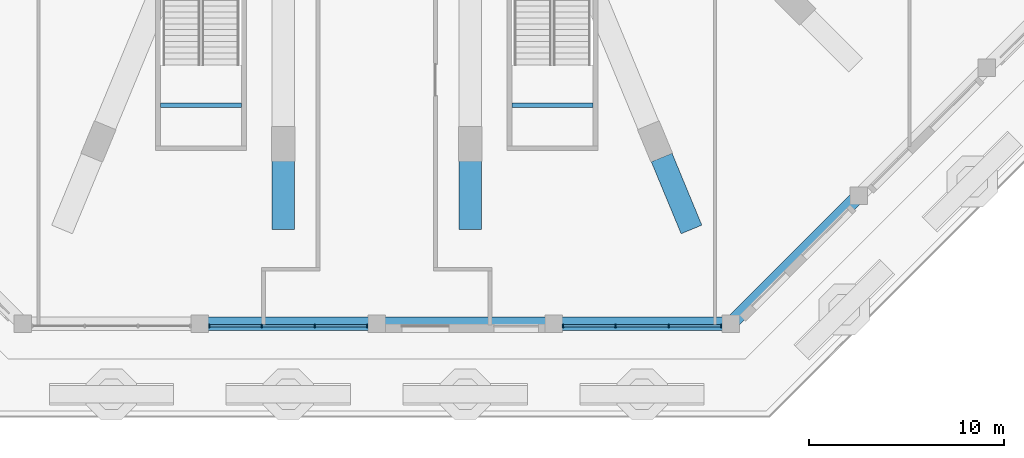
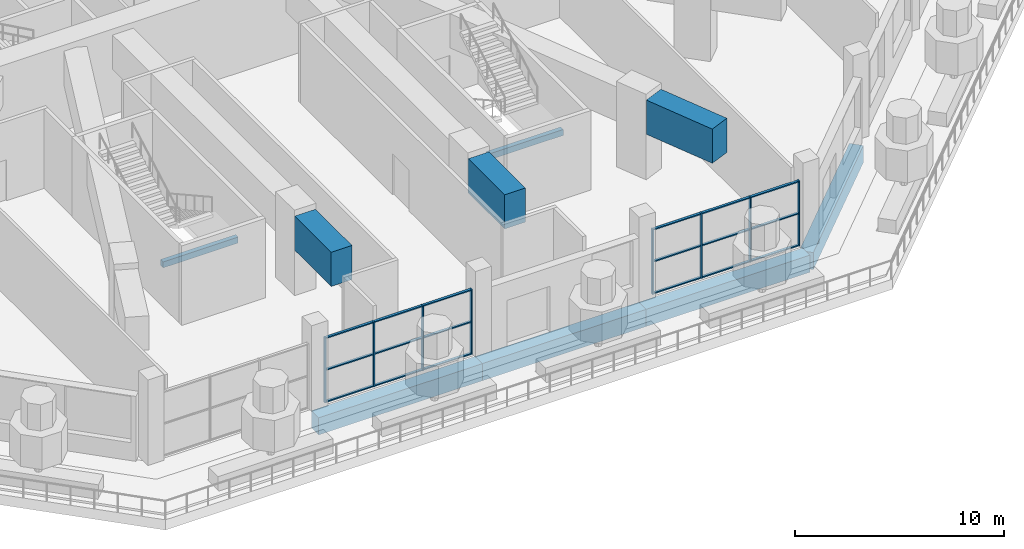
# One storey, part 4 of 25: 26 members, 9 beams, 2 elements without a shape of their own.
"""IFC4 building model written with IfcOpenShell, lengths in metres."""

from ifc_helpers import new_model, si_unit, direction, frame, origin, origin_2d, place, context, subcontext, project, spatial, rectangle, extrude, material, material_profile, profile_set, type_object, element, aggregate, save


model = new_model("IFC4")

# Units and contexts
model_context = context("Model", 3, precision=1e-05, world=origin(), true_north=direction((0.0, 1.0)))
body_context = subcontext(model_context, "Body", "Model", "MODEL_VIEW")
ifc_project = project(units=[si_unit("LENGTHUNIT", "METRE"), si_unit("AREAUNIT", "SQUARE_METRE"), si_unit("VOLUMEUNIT", "CUBIC_METRE"), si_unit("PLANEANGLEUNIT", "RADIAN"), si_unit("MASSUNIT", "GRAM", prefix="KILO")], contexts=[model_context])

# Site, building, storey
site_placement = place(None, origin())
site = spatial("IfcSite", under=ifc_project, at=site_placement, CompositionType="ELEMENT")
building_placement = place(site_placement, origin())
building = spatial("IfcBuilding", under=site, at=building_placement, Name="Msitu Wima Residences", CompositionType="ELEMENT")
storey_placement = place(building_placement, frame((0.0, 0.0, 11.0)))
storey = spatial("IfcBuildingStorey", under=building, at=storey_placement, Name="L02", CompositionType="ELEMENT", Elevation=11.0)

# Beams
ifc_material_1 = material(Name="Concrete C40/50", Category="concrete")
ifc_material_profile_1 = material_profile(ifc_material_1, rectangle(XDim=0.25, YDim=0.35009765625, at=origin_2d()), Name="RC 250x350")
ifc_profile_set_1 = profile_set([ifc_material_profile_1], Name="Concrete C40/50")
beam_type_1 = type_object("IfcBeamType", Name="Landing beam RC 250x350", PredefinedType="BEAM", material=ifc_profile_set_1)
for number, where, z_axis, x_axis, name in (
    (1, (6.925048828125, -26.60009765625, 2.125), (1.0, 0.0, 0.0), (0.0, 1.0, 0.0), "Podium exit stair 7 landing beam"),
    (2, (-6.925048828125, -26.60009765625, 2.125), (-1.0, 0.0, 0.0), (0.0, -1.0, 0.0), "Podium exit stair 8 landing beam"),
):
    element("IfcBeam", number, at=place(storey_placement, frame(where, z_axis=z_axis, x_axis=x_axis)), inside=storey, type_object=beam_type_1, Name=name, PredefinedType="BEAM", context=body_context, shape_type="SweptSolid", body=[
        extrude(rectangle(XDim=0.25, YDim=0.35009765625, at=origin_2d()), origin(), (0.0, 0.0, 1.0), 4.14990234375),
    ])

# Curtain wall, members
ifc_material_2 = material(Name="Anodised aluminium, bronze finish, clear low-emissivity double glazing", Category="aluminium")
curtain_wall_type = type_object("IfcCurtainWallType", Name="Curtain wall CW6 podium winter garden", PredefinedType="NOTDEFINED", material=ifc_material_2)
curtain_wall_1_placement = place(storey_placement, origin())
curtain_wall_1 = element("IfcCurtainWall", 3, at=curtain_wall_1_placement, inside=storey, type_object=curtain_wall_type, Name="Curtain wall CW6 L02 S1", PredefinedType="NOTDEFINED")
ifc_material_3 = material(Name="Anodised aluminium, bronze finish", Category="aluminium")
ifc_material_profile_2 = material_profile(ifc_material_3, rectangle(XDim=0.179931640625, YDim=0.06494140625, at=origin_2d()), Name="Mullion 65x180")
ifc_profile_set_2 = profile_set([ifc_material_profile_2], Name="Anodised aluminium, bronze finish")
member_type_1 = type_object("IfcMemberType", Name="Mullion CW6 65x180", PredefinedType="MULLION", material=ifc_profile_set_2)
member_1_placement = place(storey_placement, frame((-8.58154296875, -37.89990234375, 0.0), z_axis=(0.0, 0.0, 1.0), x_axis=(0.0, 1.0, 0.0)))
member_1 = element("IfcMember", 4, at=member_1_placement, type_object=member_type_1, Name="CW6 mullion 1", PredefinedType="MULLION", context=body_context, shape_type="SweptSolid", body=[
    extrude(rectangle(XDim=0.179931640625, YDim=0.06494140625, at=origin_2d()), origin(), (0.0, 0.0, 1.0), 3.800048828125),
])
member_2_placement = place(storey_placement, frame((-5.892578125, -37.89990234375, 0.0), z_axis=(0.0, 0.0, 1.0), x_axis=(0.0, 1.0, 0.0)))
member_2 = element("IfcMember", 5, at=member_2_placement, type_object=member_type_1, Name="CW6 mullion 2", PredefinedType="MULLION", context=body_context, shape_type="SweptSolid", body=[
    extrude(rectangle(XDim=0.179931640625, YDim=0.06494140625, at=origin_2d()), origin(), (0.0, 0.0, 1.0), 3.800048828125),
])
member_3_placement = place(storey_placement, frame((-3.17138671875, -37.89990234375, 0.0), z_axis=(0.0, 0.0, 1.0), x_axis=(0.0, 1.0, 0.0)))
member_3 = element("IfcMember", 6, at=member_3_placement, type_object=member_type_1, Name="CW6 mullion 3", PredefinedType="MULLION", context=body_context, shape_type="SweptSolid", body=[
    extrude(rectangle(XDim=0.179931640625, YDim=0.06494140625, at=origin_2d()), origin(), (0.0, 0.0, 1.0), 3.800048828125),
])
member_4_placement = place(storey_placement, frame((-0.482421875, -37.89990234375, 0.0), z_axis=(0.0, 0.0, 1.0), x_axis=(0.0, 1.0, 0.0)))
member_4 = element("IfcMember", 7, at=member_4_placement, type_object=member_type_1, Name="CW6 mullion 4", PredefinedType="MULLION", context=body_context, shape_type="SweptSolid", body=[
    extrude(rectangle(XDim=0.179931640625, YDim=0.06494140625, at=origin_2d()), origin(), (0.0, 0.0, 1.0), 3.800048828125),
])

curtain_wall_2_placement = place(storey_placement, origin())
curtain_wall_2 = element("IfcCurtainWall", 8, at=curtain_wall_2_placement, inside=storey, type_object=curtain_wall_type, Name="Curtain wall CW6 L02 S3", PredefinedType="NOTDEFINED")
member_5_placement = place(storey_placement, frame((9.54638671875, -37.89990234375, 0.0), z_axis=(0.0, 0.0, 1.0), x_axis=(0.0, 1.0, 0.0)))
member_5 = element("IfcMember", 9, at=member_5_placement, type_object=member_type_1, Name="CW6 mullion 1", PredefinedType="MULLION", context=body_context, shape_type="SweptSolid", body=[
    extrude(rectangle(XDim=0.179931640625, YDim=0.06494140625, at=origin_2d()), origin(), (0.0, 0.0, 1.0), 3.800048828125),
])
member_6_placement = place(storey_placement, frame((12.2353515625, -37.89990234375, 0.0), z_axis=(0.0, 0.0, 1.0), x_axis=(0.0, 1.0, 0.0)))
member_6 = element("IfcMember", 10, at=member_6_placement, type_object=member_type_1, Name="CW6 mullion 2", PredefinedType="MULLION", context=body_context, shape_type="SweptSolid", body=[
    extrude(rectangle(XDim=0.179931640625, YDim=0.06494140625, at=origin_2d()), origin(), (0.0, 0.0, 1.0), 3.800048828125),
])
member_7_placement = place(storey_placement, frame((14.95654296875, -37.89990234375, 0.0), z_axis=(0.0, 0.0, 1.0), x_axis=(0.0, 1.0, 0.0)))
member_7 = element("IfcMember", 11, at=member_7_placement, type_object=member_type_1, Name="CW6 mullion 3", PredefinedType="MULLION", context=body_context, shape_type="SweptSolid", body=[
    extrude(rectangle(XDim=0.179931640625, YDim=0.06494140625, at=origin_2d()), origin(), (0.0, 0.0, 1.0), 3.800048828125),
])
member_8_placement = place(storey_placement, frame((17.6455078125, -37.89990234375, 0.0), z_axis=(0.0, 0.0, 1.0), x_axis=(0.0, 1.0, 0.0)))
member_8 = element("IfcMember", 12, at=member_8_placement, type_object=member_type_1, Name="CW6 mullion 4", PredefinedType="MULLION", context=body_context, shape_type="SweptSolid", body=[
    extrude(rectangle(XDim=0.179931640625, YDim=0.06494140625, at=origin_2d()), origin(), (0.0, 0.0, 1.0), 3.800048828125),
])

# Beams
ifc_material_4 = material(Name="Concrete C60/75", Category="concrete")
ifc_material_profile_3 = material_profile(ifc_material_4, rectangle(XDim=1.14990234375, YDim=2.0, at=origin_2d()), Name="RC 1150x2000")
ifc_profile_set_3 = profile_set([ifc_material_profile_3], Name="Concrete C60/75")
beam_type_2 = type_object("IfcBeamType", Name="Podium cantilever girder tip RC 1150x2000 Concrete C60/75", PredefinedType="BEAM", material=ifc_profile_set_3)
for number, where, z_axis, x_axis, name in (
    (13, (-4.800048828125, -29.462890625, 3.64990234375), (0.0, -1.0, 0.0), (1.0, 0.0, 0.0), "Podium cantilever girder L03 C-S1 cantilever"),
    (14, (4.800048828125, -29.462890625, 3.64990234375), (0.0, -1.0, 0.0), (1.0, 0.0, 0.0), "Podium cantilever girder L03 C-S2 cantilever"),
):
    element("IfcBeam", number, at=place(storey_placement, frame(where, z_axis=z_axis, x_axis=x_axis)), inside=storey, type_object=beam_type_2, Name=name, PredefinedType="BEAM", context=body_context, shape_type="SweptSolid", body=[
        extrude(rectangle(XDim=1.14990234375, YDim=2.0, at=origin_2d()), origin(), (0.0, 0.0, 1.0), 3.4990234375),
    ])
beam_1_placement = place(storey_placement, frame((14.5966796875, -29.274658203125, 3.64990234375), z_axis=(0.382650802599, -0.923893047528, 0.0), x_axis=(0.923893047528, 0.382650802599, 0.0)))
element("IfcBeam", 15, at=beam_1_placement, inside=storey, type_object=beam_type_2, Name="Podium cantilever girder L03 C-SE0 cantilever", PredefinedType="BEAM", context=body_context, shape_type="SweptSolid", body=[
    extrude(rectangle(XDim=1.14990234375, YDim=2.0, at=origin_2d()), origin(), (0.0, 0.0, 1.0), 3.990234375),
])
ifc_material_profile_4 = material_profile(ifc_material_4, rectangle(XDim=0.699951171875, YDim=1.0, at=origin_2d()), Name="RC 700x1000")
ifc_profile_set_4 = profile_set([ifc_material_profile_4], Name="Concrete C60/75")
beam_type_3 = type_object("IfcBeamType", Name="Terrace beam RC 700x1000 Concrete C60/75", PredefinedType="BEAM", material=ifc_profile_set_4)
for number, where, z_axis, x_axis, name in (
    (16, (-9.06396484375, -37.800048828125, -1.10009765625), (1.0, 0.0, 0.0), (0.0, 1.0, 0.0), "Terrace upstand-line beam L02 C-S1"),
    (17, (0.0, -37.800048828125, -1.10009765625), (1.0, 0.0, 0.0), (0.0, 1.0, 0.0), "Terrace upstand-line beam L02 C-S2"),
    (18, (9.06396484375, -37.800048828125, -1.10009765625), (1.0, 0.0, 0.0), (0.0, 1.0, 0.0), "Terrace upstand-line beam L02 C-S3"),
):
    element("IfcBeam", number, at=place(storey_placement, frame(where, z_axis=z_axis, x_axis=x_axis)), inside=storey, type_object=beam_type_3, Name=name, PredefinedType="BEAM", context=body_context, shape_type="SweptSolid", body=[
        extrude(rectangle(XDim=0.699951171875, YDim=1.0, at=origin_2d()), origin(), (0.0, 0.0, 1.0), 9.06396484375),
    ])
beam_2_placement = place(storey_placement, frame((18.1279296875, -37.800048828125, -1.10009765625), z_axis=(0.707106781187, 0.707106781187, 0.0), x_axis=(-0.707106781187, 0.707106781187, 0.0)))
element("IfcBeam", 19, at=beam_2_placement, inside=storey, type_object=beam_type_3, Name="Terrace upstand-line beam L02 C-SE0", PredefinedType="BEAM", context=body_context, shape_type="SweptSolid", body=[
    extrude(rectangle(XDim=0.699951171875, YDim=1.0, at=origin_2d()), origin(), (0.0, 0.0, 1.0), 9.2734375),
])

# Member
ifc_material_profile_5 = material_profile(ifc_material_3, rectangle(XDim=0.139892578125, YDim=0.06494140625, at=origin_2d()), Name="Transom 65x140")
ifc_profile_set_5 = profile_set([ifc_material_profile_5], Name="Anodised aluminium, bronze finish")
member_type_2 = type_object("IfcMemberType", Name="Transom CW6 65x140", PredefinedType="USERDEFINED", material=ifc_profile_set_5)
member_9_placement = place(storey_placement, frame((-8.549072265625, -37.89990234375, 0.032470703125), z_axis=(1.0, 0.0, 0.0), x_axis=(0.0, 1.0, 0.0)))
member_9 = element("IfcMember", 20, at=member_9_placement, type_object=member_type_2, Name="CW6 transom 1.1", ObjectType="TRANSOM", PredefinedType="USERDEFINED", context=body_context, shape_type="SweptSolid", body=[
    extrude(rectangle(XDim=0.139892578125, YDim=0.06494140625, at=origin_2d()), origin(), (0.0, 0.0, 1.0), 2.6240234375),
])

member_10_placement = place(storey_placement, frame((-8.549072265625, -37.89990234375, 1.89990234375), z_axis=(1.0, 0.0, 0.0), x_axis=(0.0, 1.0, 0.0)))
member_10 = element("IfcMember", 21, at=member_10_placement, type_object=member_type_2, Name="CW6 transom 1.2", ObjectType="TRANSOM", PredefinedType="USERDEFINED", context=body_context, shape_type="SweptSolid", body=[
    extrude(rectangle(XDim=0.139892578125, YDim=0.06494140625, at=origin_2d()), origin(), (0.0, 0.0, 1.0), 2.6240234375),
])

member_11_placement = place(storey_placement, frame((-8.549072265625, -37.89990234375, 3.767578125), z_axis=(1.0, 0.0, 0.0), x_axis=(0.0, 1.0, 0.0)))
member_11 = element("IfcMember", 22, at=member_11_placement, type_object=member_type_2, Name="CW6 transom 1.3", ObjectType="TRANSOM", PredefinedType="USERDEFINED", context=body_context, shape_type="SweptSolid", body=[
    extrude(rectangle(XDim=0.139892578125, YDim=0.06494140625, at=origin_2d()), origin(), (0.0, 0.0, 1.0), 2.6240234375),
])

member_12_placement = place(storey_placement, frame((-5.860107421875, -37.89990234375, 0.032470703125), z_axis=(1.0, 0.0, 0.0), x_axis=(0.0, 1.0, 0.0)))
member_12 = element("IfcMember", 23, at=member_12_placement, type_object=member_type_2, Name="CW6 transom 2.1", ObjectType="TRANSOM", PredefinedType="USERDEFINED", context=body_context, shape_type="SweptSolid", body=[
    extrude(rectangle(XDim=0.139892578125, YDim=0.06494140625, at=origin_2d()), origin(), (0.0, 0.0, 1.0), 2.65625),
])

member_13_placement = place(storey_placement, frame((-5.860107421875, -37.89990234375, 1.89990234375), z_axis=(1.0, 0.0, 0.0), x_axis=(0.0, 1.0, 0.0)))
member_13 = element("IfcMember", 24, at=member_13_placement, type_object=member_type_2, Name="CW6 transom 2.2", ObjectType="TRANSOM", PredefinedType="USERDEFINED", context=body_context, shape_type="SweptSolid", body=[
    extrude(rectangle(XDim=0.139892578125, YDim=0.06494140625, at=origin_2d()), origin(), (0.0, 0.0, 1.0), 2.65625),
])

member_14_placement = place(storey_placement, frame((-5.860107421875, -37.89990234375, 3.767578125), z_axis=(1.0, 0.0, 0.0), x_axis=(0.0, 1.0, 0.0)))
member_14 = element("IfcMember", 25, at=member_14_placement, type_object=member_type_2, Name="CW6 transom 2.3", ObjectType="TRANSOM", PredefinedType="USERDEFINED", context=body_context, shape_type="SweptSolid", body=[
    extrude(rectangle(XDim=0.139892578125, YDim=0.06494140625, at=origin_2d()), origin(), (0.0, 0.0, 1.0), 2.65625),
])

member_15_placement = place(storey_placement, frame((-3.138916015625, -37.89990234375, 0.032470703125), z_axis=(1.0, 0.0, 0.0), x_axis=(0.0, 1.0, 0.0)))
member_15 = element("IfcMember", 26, at=member_15_placement, type_object=member_type_2, Name="CW6 transom 3.1", ObjectType="TRANSOM", PredefinedType="USERDEFINED", context=body_context, shape_type="SweptSolid", body=[
    extrude(rectangle(XDim=0.139892578125, YDim=0.06494140625, at=origin_2d()), origin(), (0.0, 0.0, 1.0), 2.6240234375),
])

member_16_placement = place(storey_placement, frame((-3.138916015625, -37.89990234375, 1.89990234375), z_axis=(1.0, 0.0, 0.0), x_axis=(0.0, 1.0, 0.0)))
member_16 = element("IfcMember", 27, at=member_16_placement, type_object=member_type_2, Name="CW6 transom 3.2", ObjectType="TRANSOM", PredefinedType="USERDEFINED", context=body_context, shape_type="SweptSolid", body=[
    extrude(rectangle(XDim=0.139892578125, YDim=0.06494140625, at=origin_2d()), origin(), (0.0, 0.0, 1.0), 2.6240234375),
])

member_17_placement = place(storey_placement, frame((-3.138916015625, -37.89990234375, 3.767578125), z_axis=(1.0, 0.0, 0.0), x_axis=(0.0, 1.0, 0.0)))
member_17 = element("IfcMember", 28, at=member_17_placement, type_object=member_type_2, Name="CW6 transom 3.3", ObjectType="TRANSOM", PredefinedType="USERDEFINED", context=body_context, shape_type="SweptSolid", body=[
    extrude(rectangle(XDim=0.139892578125, YDim=0.06494140625, at=origin_2d()), origin(), (0.0, 0.0, 1.0), 2.6240234375),
])

aggregate(curtain_wall_1, [member_1, member_2, member_3, member_4, member_9, member_10, member_11, member_12, member_13, member_14, member_15, member_16, member_17])

member_18_placement = place(storey_placement, frame((9.578857421875, -37.89990234375, 0.032470703125), z_axis=(1.0, 0.0, 0.0), x_axis=(0.0, 1.0, 0.0)))
member_18 = element("IfcMember", 29, at=member_18_placement, type_object=member_type_2, Name="CW6 transom 1.1", ObjectType="TRANSOM", PredefinedType="USERDEFINED", context=body_context, shape_type="SweptSolid", body=[
    extrude(rectangle(XDim=0.139892578125, YDim=0.06494140625, at=origin_2d()), origin(), (0.0, 0.0, 1.0), 2.6240234375),
])

member_19_placement = place(storey_placement, frame((9.578857421875, -37.89990234375, 1.89990234375), z_axis=(1.0, 0.0, 0.0), x_axis=(0.0, 1.0, 0.0)))
member_19 = element("IfcMember", 30, at=member_19_placement, type_object=member_type_2, Name="CW6 transom 1.2", ObjectType="TRANSOM", PredefinedType="USERDEFINED", context=body_context, shape_type="SweptSolid", body=[
    extrude(rectangle(XDim=0.139892578125, YDim=0.06494140625, at=origin_2d()), origin(), (0.0, 0.0, 1.0), 2.6240234375),
])

member_20_placement = place(storey_placement, frame((9.578857421875, -37.89990234375, 3.767578125), z_axis=(1.0, 0.0, 0.0), x_axis=(0.0, 1.0, 0.0)))
member_20 = element("IfcMember", 31, at=member_20_placement, type_object=member_type_2, Name="CW6 transom 1.3", ObjectType="TRANSOM", PredefinedType="USERDEFINED", context=body_context, shape_type="SweptSolid", body=[
    extrude(rectangle(XDim=0.139892578125, YDim=0.06494140625, at=origin_2d()), origin(), (0.0, 0.0, 1.0), 2.6240234375),
])

member_21_placement = place(storey_placement, frame((12.267822265625, -37.89990234375, 0.032470703125), z_axis=(1.0, 0.0, 0.0), x_axis=(0.0, 1.0, 0.0)))
member_21 = element("IfcMember", 32, at=member_21_placement, type_object=member_type_2, Name="CW6 transom 2.1", ObjectType="TRANSOM", PredefinedType="USERDEFINED", context=body_context, shape_type="SweptSolid", body=[
    extrude(rectangle(XDim=0.139892578125, YDim=0.06494140625, at=origin_2d()), origin(), (0.0, 0.0, 1.0), 2.65625),
])

member_22_placement = place(storey_placement, frame((12.267822265625, -37.89990234375, 1.89990234375), z_axis=(1.0, 0.0, 0.0), x_axis=(0.0, 1.0, 0.0)))
member_22 = element("IfcMember", 33, at=member_22_placement, type_object=member_type_2, Name="CW6 transom 2.2", ObjectType="TRANSOM", PredefinedType="USERDEFINED", context=body_context, shape_type="SweptSolid", body=[
    extrude(rectangle(XDim=0.139892578125, YDim=0.06494140625, at=origin_2d()), origin(), (0.0, 0.0, 1.0), 2.65625),
])

member_23_placement = place(storey_placement, frame((12.267822265625, -37.89990234375, 3.767578125), z_axis=(1.0, 0.0, 0.0), x_axis=(0.0, 1.0, 0.0)))
member_23 = element("IfcMember", 34, at=member_23_placement, type_object=member_type_2, Name="CW6 transom 2.3", ObjectType="TRANSOM", PredefinedType="USERDEFINED", context=body_context, shape_type="SweptSolid", body=[
    extrude(rectangle(XDim=0.139892578125, YDim=0.06494140625, at=origin_2d()), origin(), (0.0, 0.0, 1.0), 2.65625),
])

member_24_placement = place(storey_placement, frame((14.989013671875, -37.89990234375, 0.032470703125), z_axis=(1.0, 0.0, 0.0), x_axis=(0.0, 1.0, 0.0)))
member_24 = element("IfcMember", 35, at=member_24_placement, type_object=member_type_2, Name="CW6 transom 3.1", ObjectType="TRANSOM", PredefinedType="USERDEFINED", context=body_context, shape_type="SweptSolid", body=[
    extrude(rectangle(XDim=0.139892578125, YDim=0.06494140625, at=origin_2d()), origin(), (0.0, 0.0, 1.0), 2.6240234375),
])

member_25_placement = place(storey_placement, frame((14.989013671875, -37.89990234375, 1.89990234375), z_axis=(1.0, 0.0, 0.0), x_axis=(0.0, 1.0, 0.0)))
member_25 = element("IfcMember", 36, at=member_25_placement, type_object=member_type_2, Name="CW6 transom 3.2", ObjectType="TRANSOM", PredefinedType="USERDEFINED", context=body_context, shape_type="SweptSolid", body=[
    extrude(rectangle(XDim=0.139892578125, YDim=0.06494140625, at=origin_2d()), origin(), (0.0, 0.0, 1.0), 2.6240234375),
])

member_26_placement = place(storey_placement, frame((14.989013671875, -37.89990234375, 3.767578125), z_axis=(1.0, 0.0, 0.0), x_axis=(0.0, 1.0, 0.0)))
member_26 = element("IfcMember", 37, at=member_26_placement, type_object=member_type_2, Name="CW6 transom 3.3", ObjectType="TRANSOM", PredefinedType="USERDEFINED", context=body_context, shape_type="SweptSolid", body=[
    extrude(rectangle(XDim=0.139892578125, YDim=0.06494140625, at=origin_2d()), origin(), (0.0, 0.0, 1.0), 2.6240234375),
])

aggregate(curtain_wall_2, [member_5, member_6, member_7, member_8, member_18, member_19, member_20, member_21, member_22, member_23, member_24, member_25, member_26])

save(model, "model.ifc")
